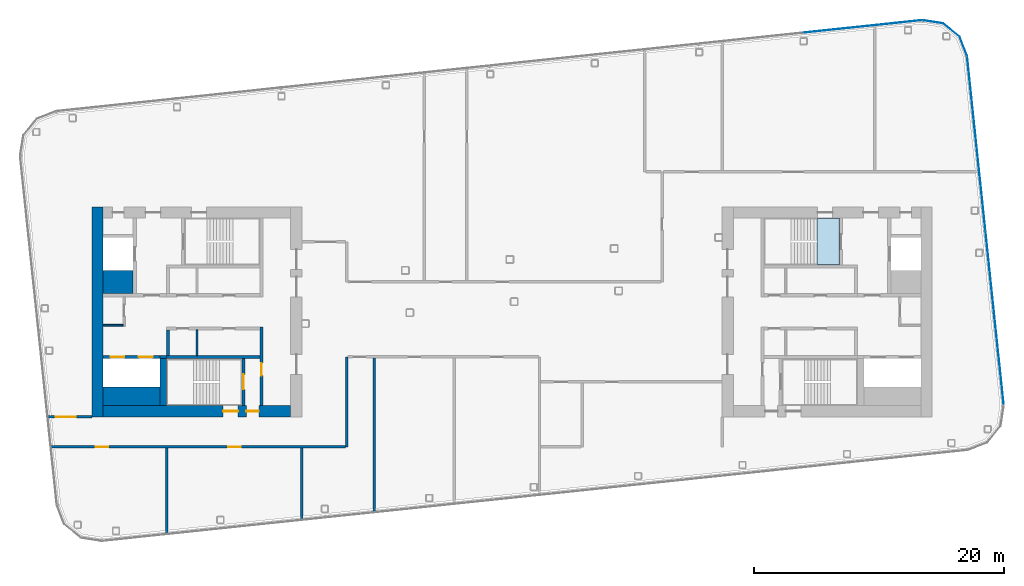
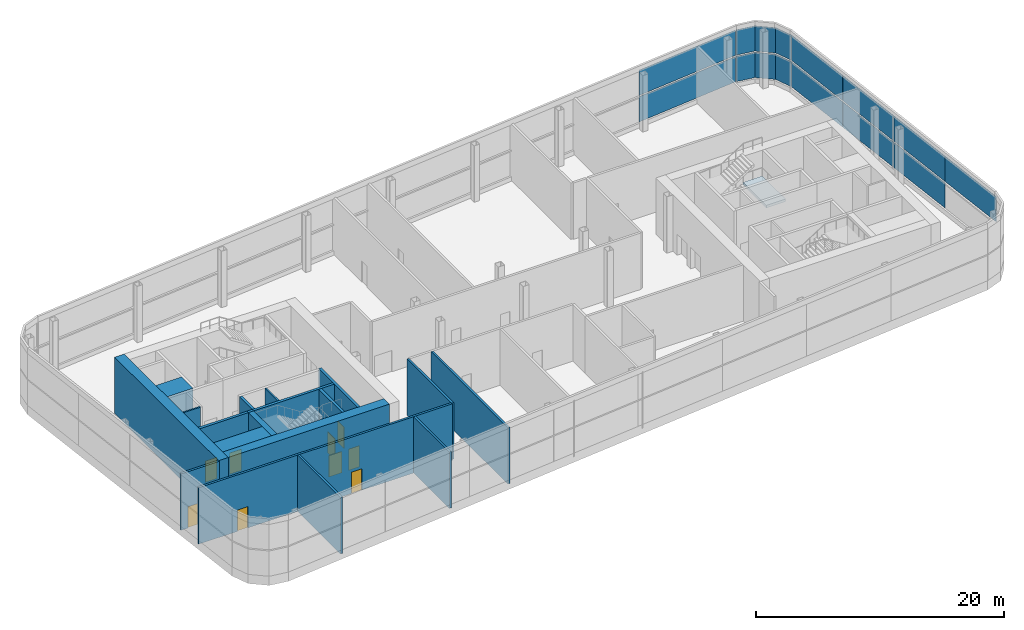
# One storey, part 14 of 35: 19 walls, 11 plates, 9 doors, 1 slab, 9 openings, 4 elements without a shape of their own.
"""IFC4 building model written with IfcOpenShell, lengths in metres."""

from ifc_helpers import new_model, si_unit, direction, frame, frame_2d, origin, origin_2d, place, context, subcontext, project, spatial, polyline, rectangle, outline, extrude, material, layer, layer_set, type_object, element, fill, aggregate, save


model = new_model("IFC4")

# Units and contexts
model_context = context("Model", 3, precision=1e-05, world=origin(), true_north=direction((0.0, 1.0)))
body_context = subcontext(model_context, "Body", "Model", "MODEL_VIEW")
ifc_project = project(units=[si_unit("LENGTHUNIT", "METRE"), si_unit("AREAUNIT", "SQUARE_METRE"), si_unit("VOLUMEUNIT", "CUBIC_METRE"), si_unit("PLANEANGLEUNIT", "RADIAN"), si_unit("MASSUNIT", "GRAM", prefix="KILO")], contexts=[model_context])

# Site, building, storey
site_placement = place(None, origin())
site = spatial("IfcSite", under=ifc_project, at=site_placement, CompositionType="ELEMENT")
building_placement = place(site_placement, origin())
building = spatial("IfcBuilding", under=site, at=building_placement, Name="Hakoniwa Tower and Hamabe Station Hall", CompositionType="ELEMENT")
storey_placement = place(building_placement, frame((0.0, 0.0, 270.60009765625)))
storey = spatial("IfcBuildingStorey", under=building, at=storey_placement, Name="L76", CompositionType="ELEMENT", Elevation=270.60009765625)

# Stair, slab
ifc_material_1 = material(Name="Concrete C40", Category="concrete")
stair_type = type_object("IfcStairType", Name="ESCAPE STAIR 1800", PredefinedType="HALF_TURN_STAIR", material=ifc_material_1)
stair_placement = place(storey_placement, origin())
stair = element("IfcStair", 1, at=stair_placement, inside=storey, type_object=stair_type, Name="Escape stair ST-3 L76", PredefinedType="HALF_TURN_STAIR")
ifc_material_2 = material(Name="Concrete C40", Category="concrete")
ifc_layer_1 = layer(ifc_material_2, 0.25)
ifc_layer_set_1 = layer_set([ifc_layer_1], Name="CORE STAIR LANDING 250")
slab_type = type_object("IfcSlabType", Name="CORE STAIR LANDING 250", PredefinedType="LANDING", material=ifc_layer_set_1)
slab_placement = place(storey_placement, frame((0.0, 0.0, 2.75)))
slab = element("IfcSlab", 2, at=slab_placement, type_object=slab_type, Name="ST-3 landing 2", PredefinedType="LANDING", context=body_context, shape_type="SweptSolid", body=[
    extrude(outline(polyline([(26.199951171875, 3.75), (24.39990234375, 3.75), (24.39990234375, 7.5), (26.199951171875, 7.5), (26.199951171875, 3.75)])), origin(), (0.0, 0.0, 1.0), 0.25),
])
aggregate(stair, [slab])

# Curtain wall, plates
ifc_material_3 = material(Name="Dark low-e laminated glass", Category="glass")
ifc_layer_2 = layer(ifc_material_3, 0.199951171875)
ifc_layer_set_2 = layer_set([ifc_layer_2], Name="CW-1 UNITISED GUEST")
curtain_wall_type = type_object("IfcCurtainWallType", Name="CW-1 UNITISED GUEST", PredefinedType="NOTDEFINED", material=ifc_layer_set_2)
curtain_wall_1_placement = place(storey_placement, origin())
curtain_wall_1 = element("IfcCurtainWall", 3, at=curtain_wall_1_placement, inside=storey, type_object=curtain_wall_type, Name="CW-1 curtain wall", PredefinedType="NOTDEFINED")
ifc_material_4 = material(Name="Dark low-e laminated glass", Category="glass")
ifc_layer_3 = layer(ifc_material_4, 0.028076171875)
ifc_layer_set_3 = layer_set([ifc_layer_3], Name="CW-1 GLASS UNIT")
plate_type = type_object("IfcPlateType", Name="CW-1 GLASS UNIT", PredefinedType="CURTAIN_PANEL", material=ifc_layer_set_3)
plate_1_placement = place(storey_placement, frame((38.97802734375, -3.990966796875, 2.9599609375), z_axis=(0.0, 0.0, 1.0), x_axis=(-0.104528468631, 0.994521894805, 0.0)))
plate_1 = element("IfcPlate", 4, at=plate_1_placement, type_object=plate_type, Name="CW-1 glass unit", PredefinedType="CURTAIN_PANEL", context=body_context, shape_type="SweptSolid", body=[
    extrude(rectangle(XDim=6.999755859375, YDim=0.028076171875, at=origin_2d()), origin(), (0.0, 0.0, 1.0), 2.489990234375),
])
plate_2_placement = place(storey_placement, frame((38.244140625, 2.990478515625, 0.35009765625), z_axis=(0.0, 0.0, 1.0), x_axis=(-0.104528468631, 0.994521894805, 0.0)))
plate_2 = element("IfcPlate", 5, at=plate_2_placement, type_object=plate_type, Name="CW-1 glass unit", PredefinedType="CURTAIN_PANEL", context=body_context, shape_type="SweptSolid", body=[
    extrude(rectangle(XDim=6.999755859375, YDim=0.028076171875, at=origin_2d()), origin(), (0.0, 0.0, 1.0), 2.489990234375),
])
plate_3_placement = place(storey_placement, frame((38.244140625, 2.990478515625, 2.9599609375), z_axis=(0.0, 0.0, 1.0), x_axis=(-0.104528468631, 0.994521894805, 0.0)))
plate_3 = element("IfcPlate", 6, at=plate_3_placement, type_object=plate_type, Name="CW-1 glass unit", PredefinedType="CURTAIN_PANEL", context=body_context, shape_type="SweptSolid", body=[
    extrude(rectangle(XDim=6.999755859375, YDim=0.028076171875, at=origin_2d()), origin(), (0.0, 0.0, 1.0), 2.489990234375),
])
plate_4_placement = place(storey_placement, frame((37.510498046875, 9.9716796875, 0.35009765625), z_axis=(0.0, 0.0, 1.0), x_axis=(-0.104528468631, 0.994521894805, 0.0)))
plate_4 = element("IfcPlate", 7, at=plate_4_placement, type_object=plate_type, Name="CW-1 glass unit", PredefinedType="CURTAIN_PANEL", context=body_context, shape_type="SweptSolid", body=[
    extrude(rectangle(XDim=6.999755859375, YDim=0.028076171875, at=origin_2d()), origin(), (0.0, 0.0, 1.0), 2.489990234375),
])
plate_5_placement = place(storey_placement, frame((37.510498046875, 9.9716796875, 2.9599609375), z_axis=(0.0, 0.0, 1.0), x_axis=(-0.104528468631, 0.994521894805, 0.0)))
plate_5 = element("IfcPlate", 8, at=plate_5_placement, type_object=plate_type, Name="CW-1 glass unit", PredefinedType="CURTAIN_PANEL", context=body_context, shape_type="SweptSolid", body=[
    extrude(rectangle(XDim=6.999755859375, YDim=0.028076171875, at=origin_2d()), origin(), (0.0, 0.0, 1.0), 2.489990234375),
])
plate_6_placement = place(storey_placement, frame((36.776611328125, 16.953125, 0.35009765625), z_axis=(0.0, 0.0, 1.0), x_axis=(-0.104528468631, 0.994521894805, 0.0)))
plate_6 = element("IfcPlate", 9, at=plate_6_placement, type_object=plate_type, Name="CW-1 glass unit", PredefinedType="CURTAIN_PANEL", context=body_context, shape_type="SweptSolid", body=[
    extrude(rectangle(XDim=6.999755859375, YDim=0.028076171875, at=origin_2d()), origin(), (0.0, 0.0, 1.0), 2.489990234375),
])
plate_7_placement = place(storey_placement, frame((36.776611328125, 16.953125, 2.9599609375), z_axis=(0.0, 0.0, 1.0), x_axis=(-0.104528468631, 0.994521894805, 0.0)))
plate_7 = element("IfcPlate", 10, at=plate_7_placement, type_object=plate_type, Name="CW-1 glass unit", PredefinedType="CURTAIN_PANEL", context=body_context, shape_type="SweptSolid", body=[
    extrude(rectangle(XDim=6.999755859375, YDim=0.028076171875, at=origin_2d()), origin(), (0.0, 0.0, 1.0), 2.489990234375),
])
aggregate(curtain_wall_1, [plate_1, plate_2, plate_3, plate_4, plate_5, plate_6, plate_7])

curtain_wall_2_placement = place(storey_placement, origin())
curtain_wall_2 = element("IfcCurtainWall", 11, at=curtain_wall_2_placement, inside=storey, type_object=curtain_wall_type, Name="CW-1 curtain wall", PredefinedType="NOTDEFINED")
plate_8_placement = place(storey_placement, frame((0.0, 0.0, 0.349853515625)))
plate_8 = element("IfcPlate", 12, at=plate_8_placement, type_object=plate_type, Name="CW-1 curved corner unit", PredefinedType="CURTAIN_PANEL", context=body_context, shape_type="SweptSolid", body=[
    extrude(outline(polyline([(36.409423828125, 20.482421875), (35.82421875, 22.0068359375), (34.492431640625, 23.085205078125), (32.8798828125, 23.340576171875), (32.87548828125, 23.31298828125), (34.480712890625, 23.058837890625), (35.80078125, 21.98974609375), (36.38330078125, 20.472412109375), (36.409423828125, 20.482421875)])), origin(), (0.0, 0.0, 1.0), 2.489990234375),
])
plate_9_placement = place(storey_placement, frame((0.0, 0.0, 2.9599609375)))
plate_9 = element("IfcPlate", 13, at=plate_9_placement, type_object=plate_type, Name="CW-1 curved corner unit", PredefinedType="CURTAIN_PANEL", context=body_context, shape_type="SweptSolid", body=[
    extrude(outline(polyline([(36.409423828125, 20.482421875), (35.82421875, 22.0068359375), (34.492431640625, 23.085205078125), (32.8798828125, 23.340576171875), (32.87548828125, 23.31298828125), (34.480712890625, 23.058837890625), (35.80078125, 21.98974609375), (36.38330078125, 20.472412109375), (36.409423828125, 20.482421875)])), origin(), (0.0, 0.0, 1.0), 2.489990234375),
])
aggregate(curtain_wall_2, [plate_8, plate_9])

curtain_wall_3_placement = place(storey_placement, origin())
curtain_wall_3 = element("IfcCurtainWall", 14, at=curtain_wall_3_placement, inside=storey, type_object=curtain_wall_type, Name="CW-1 curtain wall", PredefinedType="NOTDEFINED")
plate_10_placement = place(storey_placement, frame((28.04833984375, 22.829345703125, 0.35009765625), z_axis=(0.0, 0.0, 1.0), x_axis=(-0.994521895272, -0.104528464188, 0.0)))
plate_10 = element("IfcPlate", 15, at=plate_10_placement, type_object=plate_type, Name="CW-1 glass unit", PredefinedType="CURTAIN_PANEL", context=body_context, shape_type="SweptSolid", body=[
    extrude(rectangle(XDim=9.619384765625, YDim=0.028076171875, at=origin_2d()), origin(), (0.0, 0.0, 1.0), 2.489990234375),
])
plate_11_placement = place(storey_placement, frame((28.04833984375, 22.829345703125, 2.9599609375), z_axis=(0.0, 0.0, 1.0), x_axis=(-0.994521895272, -0.104528464188, 0.0)))
plate_11 = element("IfcPlate", 16, at=plate_11_placement, type_object=plate_type, Name="CW-1 glass unit", PredefinedType="CURTAIN_PANEL", context=body_context, shape_type="SweptSolid", body=[
    extrude(rectangle(XDim=9.619384765625, YDim=0.028076171875, at=origin_2d()), origin(), (0.0, 0.0, 1.0), 2.489990234375),
])
aggregate(curtain_wall_3, [plate_10, plate_11])

# Walls
ifc_material_5 = material(Name="Gypsum board partition")
ifc_layer_4 = layer(ifc_material_5, 0.14990234375)
ifc_layer_set_4 = layer_set([ifc_layer_4], Name="CORE PARTITION 150 EI 60")
wall_type_1 = type_object("IfcWallType", Name="CORE PARTITION 150 EI 60", PredefinedType="PARTITIONING", material=ifc_layer_set_4)
wall_1_placement = place(storey_placement, frame((-32.699951171875, -1.074951171875, 0.0), z_axis=(0.0, 0.0, 1.0), x_axis=(1.0, 0.0, 0.0)))
element("IfcWall", 17, at=wall_1_placement, inside=storey, type_object=wall_type_1, Name="Core partition PS west", PredefinedType="PARTITIONING", context=body_context, shape_type="SweptSolid", body=[
    extrude(rectangle(XDim=1.599853515625, YDim=0.14990234375, at=frame_2d((0.7998046875, 0.0))), origin(), (0.0, 0.0, 1.0), 5.5498046875),
])
wall_2_placement = place(storey_placement, frame((-25.199951171875, -3.5, 0.0), z_axis=(0.0, 0.0, 1.0), x_axis=(0.0, 1.0, 0.0)))
element("IfcWall", 18, at=wall_2_placement, inside=storey, type_object=wall_type_1, Name="Core partition PFHR0 west", PredefinedType="PARTITIONING", context=body_context, shape_type="SweptSolid", body=[
    extrude(rectangle(XDim=2.050048828125, YDim=0.14990234375, at=frame_2d((1.02490234375, 0.0))), origin(), (0.0, 0.0, 1.0), 5.5498046875),
])
ifc_material_6 = material(Name="Concrete C60", Category="concrete")
ifc_layer_5 = layer(ifc_material_6, 0.89990234375)
ifc_layer_set_5 = layer_set([ifc_layer_5], Name="CORE WALL 900 C60")
wall_type_2 = type_object("IfcWallType", Name="CORE WALL 900 C60", PredefinedType="SHEAR", material=ifc_layer_set_5)
wall_3_placement = place(storey_placement, frame((-33.14990234375, -8.39990234375, 0.0), z_axis=(0.0, 0.0, 1.0), x_axis=(0.0, 1.0, 0.0)))
element("IfcWall", 19, at=wall_3_placement, inside=storey, type_object=wall_type_2, Name="Core wall OUTER west", PredefinedType="SHEAR", context=body_context, shape_type="SweptSolid", body=[
    extrude(rectangle(XDim=16.7998046875, YDim=0.89990234375, at=frame_2d((8.39990234375, 0.0))), origin(), (0.0, 0.0, 1.0), 5.5498046875),
])

# Wall, openings, doors
wall_4_placement = place(storey_placement, frame((-32.699951171875, -7.949951171875, 0.0), z_axis=(0.0, 0.0, 1.0), x_axis=(1.0, 0.0, 0.0)))
wall_4 = element("IfcWall", 20, at=wall_4_placement, inside=storey, type_object=wall_type_2, Name="Core wall SOUTH west", PredefinedType="SHEAR", context=body_context, shape_type="SweptSolid", body=[
    extrude(rectangle(XDim=15.0, YDim=0.89990234375, at=frame_2d((7.5, 0.0))), origin(), (0.0, 0.0, 1.0), 5.5498046875),
])
opening_1_placement = place(wall_4_placement, frame((11.449951171875, 0.0, 0.0)))
opening_1 = element("IfcOpeningElement", 21, at=opening_1_placement, cuts=wall_4, Name="Opening CD-W-FS3-10", PredefinedType="OPENING", context=body_context, shape_type="SweptSolid", body=[
    extrude(rectangle(XDim=1.0, YDim=2.10009765625, at=frame_2d((0.5, 1.050048828125))), frame((0.0, 0.4599609375, 0.0), z_axis=(0.0, -1.0, 0.0), x_axis=(1.0, 0.0, 0.0)), (0.0, 0.0, 1.0), 0.919921875),
])
opening_2_placement = place(wall_4_placement, frame((9.60009765625, 0.0, 0.0)))
opening_2 = element("IfcOpeningElement", 22, at=opening_2_placement, cuts=wall_4, Name="Opening CD-W-FS5-12", PredefinedType="OPENING", context=body_context, shape_type="SweptSolid", body=[
    extrude(rectangle(XDim=1.199951171875, YDim=2.10009765625, at=frame_2d((0.60009765625, 1.050048828125))), frame((0.0, 0.4599609375, 0.0), z_axis=(0.0, -1.0, 0.0), x_axis=(1.0, 0.0, 0.0)), (0.0, 0.0, 1.0), 0.919921875),
])
ifc_material_7 = material(Name="Steel fire door", Category="steel")
door_type_1 = type_object("IfcDoorType", Name="CORE DOOR 1000 FD60", OperationType="NOTDEFINED", PredefinedType="DOOR", material=ifc_material_7)
door_1_placement = place(opening_1_placement, origin())
door_1 = element("IfcDoor", 23, at=door_1_placement, inside=storey, type_object=door_type_1, Name="Stair vestibule door", OperationType="SINGLE_SWING_LEFT", OverallHeight=2.10009765625, OverallWidth=1.0, PredefinedType="DOOR", context=body_context, shape_type="SweptSolid", body=[
    extrude(rectangle(XDim=1.0, YDim=2.10009765625, at=frame_2d((0.5, 1.050048828125))), frame((0.0, 0.02490234375, 0.0), z_axis=(0.0, -1.0, 0.0), x_axis=(1.0, 0.0, 0.0)), (0.0, 0.0, 1.0), 0.050048828125),
])
fill(opening_1, door_1)
ifc_material_8 = material(Name="Steel fire door", Category="steel")
door_type_2 = type_object("IfcDoorType", Name="CORE DOOR 1200 FD60", OperationType="DOUBLE_DOOR_SINGLE_SWING", PredefinedType="DOOR", material=ifc_material_8)
door_2_placement = place(opening_2_placement, origin())
door_2 = element("IfcDoor", 24, at=door_2_placement, inside=storey, type_object=door_type_2, Name="Stair vestibule door to stair B", OperationType="DOUBLE_DOOR_SINGLE_SWING", OverallHeight=2.10009765625, OverallWidth=1.199951171875, PredefinedType="DOOR", context=body_context, shape_type="SweptSolid", body=[
    extrude(rectangle(XDim=1.199951171875, YDim=2.10009765625, at=frame_2d((0.60009765625, 1.050048828125))), frame((0.0, 0.02490234375, 0.0), z_axis=(0.0, -1.0, 0.0), x_axis=(1.0, 0.0, 0.0)), (0.0, 0.0, 1.0), 0.050048828125),
])
fill(opening_2, door_2)

# Walls
ifc_material_9 = material(Name="Concrete C60", Category="concrete")
ifc_layer_6 = layer(ifc_material_9, 1.5)
ifc_layer_set_6 = layer_set([ifc_layer_6], Name="CORE WEB WALL 1500 C60")
wall_type_3 = type_object("IfcWallType", Name="CORE WEB WALL 1500 C60", PredefinedType="SHEAR", material=ifc_layer_set_6)
wall_5_placement = place(storey_placement, frame((-32.699951171875, -6.75, 0.0), z_axis=(0.0, 0.0, 1.0), x_axis=(1.0, 0.0, 0.0)))
element("IfcWall", 25, at=wall_5_placement, inside=storey, type_object=wall_type_3, Name="Core wall SER west", PredefinedType="SHEAR", context=body_context, shape_type="SweptSolid", body=[
    extrude(rectangle(XDim=4.550048828125, YDim=1.5, at=frame_2d((2.27490234375, 0.0))), origin(), (0.0, 0.0, 1.0), 5.5498046875),
])
ifc_material_10 = material(Name="Concrete C60", Category="concrete")
ifc_layer_7 = layer(ifc_material_10, 1.85009765625)
ifc_layer_set_7 = layer_set([ifc_layer_7], Name="CORE WEB WALL 1850 C60")
wall_type_4 = type_object("IfcWallType", Name="CORE WEB WALL 1850 C60", PredefinedType="SHEAR", material=ifc_layer_set_7)
wall_6_placement = place(storey_placement, frame((-32.699951171875, 2.375, 0.0), z_axis=(0.0, 0.0, 1.0), x_axis=(1.0, 0.0, 0.0)))
element("IfcWall", 26, at=wall_6_placement, inside=storey, type_object=wall_type_4, Name="Core wall CA west", PredefinedType="SHEAR", context=body_context, shape_type="SweptSolid", body=[
    extrude(rectangle(XDim=2.39990234375, YDim=1.85009765625, at=frame_2d((1.199951171875, 0.0))), origin(), (0.0, 0.0, 1.0), 5.5498046875),
])

# Wall, opening, door
ifc_material_11 = material(Name="Concrete C60", Category="concrete")
ifc_layer_8 = layer(ifc_material_11, 0.25)
ifc_layer_set_8 = layer_set([ifc_layer_8], Name="CORE WEB WALL 250 C60")
wall_type_5 = type_object("IfcWallType", Name="CORE WEB WALL 250 C60", PredefinedType="SHEAR", material=ifc_layer_set_8)
wall_7_placement = place(storey_placement, frame((-20.02490234375, -7.5, 0.0), z_axis=(0.0, 0.0, 1.0), x_axis=(0.0, 1.0, 0.0)))
wall_7 = element("IfcWall", 27, at=wall_7_placement, inside=storey, type_object=wall_type_5, Name="Core wall W1S west", PredefinedType="SHEAR", context=body_context, shape_type="SweptSolid", body=[
    extrude(rectangle(XDim=6.300048828125, YDim=0.25, at=frame_2d((3.14990234375, 0.0))), origin(), (0.0, 0.0, 1.0), 5.5498046875),
])
opening_3_placement = place(wall_7_placement, frame((2.39990234375, 0.0, 0.0)))
opening_3 = element("IfcOpeningElement", 28, at=opening_3_placement, cuts=wall_7, Name="Opening CD-W-VS-10", PredefinedType="OPENING", context=body_context, shape_type="SweptSolid", body=[
    extrude(rectangle(XDim=1.0, YDim=2.10009765625, at=frame_2d((0.5, 1.050048828125))), frame((0.0, 0.135009765625, 0.0), z_axis=(0.0, -1.0, 0.0), x_axis=(1.0, 0.0, 0.0)), (0.0, 0.0, 1.0), 0.27001953125),
])
door_3_placement = place(opening_3_placement, origin())
door_3 = element("IfcDoor", 29, at=door_3_placement, inside=storey, type_object=door_type_1, Name="Stair vestibule door", OperationType="SINGLE_SWING_LEFT", OverallHeight=2.10009765625, OverallWidth=1.0, PredefinedType="DOOR", context=body_context, shape_type="SweptSolid", body=[
    extrude(rectangle(XDim=1.0, YDim=2.10009765625, at=frame_2d((0.5, 1.050048828125))), frame((0.0, 0.02490234375, 0.0), z_axis=(0.0, -1.0, 0.0), x_axis=(1.0, 0.0, 0.0)), (0.0, 0.0, 1.0), 0.050048828125),
])
fill(opening_3, door_3)

# Walls
wall_8_placement = place(storey_placement, frame((-27.52490234375, -3.5, 0.0), z_axis=(0.0, 0.0, 1.0), x_axis=(0.0, 1.0, 0.0)))
element("IfcWall", 30, at=wall_8_placement, inside=storey, type_object=wall_type_5, Name="Core wall SE west", PredefinedType="SHEAR", context=body_context, shape_type="SweptSolid", body=[
    extrude(rectangle(XDim=2.050048828125, YDim=0.25, at=frame_2d((1.02490234375, 0.0))), origin(), (0.0, 0.0, 1.0), 5.5498046875),
])
wall_9_placement = place(storey_placement, frame((-27.64990234375, -3.625, 0.0), z_axis=(0.0, 0.0, 1.0), x_axis=(1.0, 0.0, 0.0)))
element("IfcWall", 31, at=wall_9_placement, inside=storey, type_object=wall_type_5, Name="Core wall SR west", PredefinedType="SHEAR", context=body_context, shape_type="SweptSolid", body=[
    extrude(rectangle(XDim=7.5, YDim=0.25, at=frame_2d((3.75, 0.0))), origin(), (0.0, 0.0, 1.0), 5.5498046875),
])

# Wall, opening, door
wall_10_placement = place(storey_placement, frame((-21.47509765625, -7.5, 0.0), z_axis=(0.0, 0.0, 1.0), x_axis=(0.0, 1.0, 0.0)))
wall_10 = element("IfcWall", 32, at=wall_10_placement, inside=storey, type_object=wall_type_5, Name="Core wall VE west", PredefinedType="SHEAR", context=body_context, shape_type="SweptSolid", body=[
    extrude(rectangle(XDim=3.75, YDim=0.25, at=frame_2d((1.875, 0.0))), origin(), (0.0, 0.0, 1.0), 5.5498046875),
])
opening_4_placement = place(wall_10_placement, frame((1.300048828125, 0.0, 0.0)))
opening_4 = element("IfcOpeningElement", 33, at=opening_4_placement, cuts=wall_10, Name="Opening CD-W-SS-12", PredefinedType="OPENING", context=body_context, shape_type="SweptSolid", body=[
    extrude(rectangle(XDim=1.199951171875, YDim=2.10009765625, at=frame_2d((0.60009765625, 1.050048828125))), frame((0.0, 0.135009765625, 0.0), z_axis=(0.0, -1.0, 0.0), x_axis=(1.0, 0.0, 0.0)), (0.0, 0.0, 1.0), 0.27001953125),
])
door_4_placement = place(opening_4_placement, origin())
door_4 = element("IfcDoor", 34, at=door_4_placement, inside=storey, type_object=door_type_2, Name="Escape stair door", OperationType="DOUBLE_DOOR_SINGLE_SWING", OverallHeight=2.10009765625, OverallWidth=1.199951171875, PredefinedType="DOOR", context=body_context, shape_type="SweptSolid", body=[
    extrude(rectangle(XDim=1.199951171875, YDim=2.10009765625, at=frame_2d((0.60009765625, 1.050048828125))), frame((0.0, 0.02490234375, 0.0), z_axis=(0.0, -1.0, 0.0), x_axis=(1.0, 0.0, 0.0)), (0.0, 0.0, 1.0), 0.050048828125),
])
fill(opening_4, door_4)

# Wall, openings, doors
wall_11_placement = place(storey_placement, frame((-32.699951171875, -3.625, 0.0), z_axis=(0.0, 0.0, 1.0), x_axis=(1.0, 0.0, 0.0)))
wall_11 = element("IfcWall", 35, at=wall_11_placement, inside=storey, type_object=wall_type_5, Name="Core wall SEF west", PredefinedType="SHEAR", context=body_context, shape_type="SweptSolid", body=[
    extrude(rectangle(XDim=4.550048828125, YDim=0.25, at=frame_2d((2.27490234375, 0.0))), origin(), (0.0, 0.0, 1.0), 5.5498046875),
])
opening_5_placement = place(wall_11_placement, frame((2.85009765625, 0.0, 0.0)))
opening_5 = element("IfcOpeningElement", 36, at=opening_5_placement, cuts=wall_11, Name="Opening LD-SV1", PredefinedType="OPENING", context=body_context, shape_type="SweptSolid", body=[
    extrude(rectangle(XDim=1.10009765625, YDim=2.10009765625, at=frame_2d((0.550048828125, 1.050048828125))), frame((0.0, 0.135009765625, 0.0), z_axis=(0.0, -1.0, 0.0), x_axis=(1.0, 0.0, 0.0)), (0.0, 0.0, 1.0), 0.27001953125),
])
opening_6_placement = place(wall_11_placement, frame((0.60009765625, 0.0, 0.0)))
opening_6 = element("IfcOpeningElement", 37, at=opening_6_placement, cuts=wall_11, Name="Opening LD-SV2", PredefinedType="OPENING", context=body_context, shape_type="SweptSolid", body=[
    extrude(rectangle(XDim=1.10009765625, YDim=2.10009765625, at=frame_2d((0.550048828125, 1.050048828125))), frame((0.0, 0.135009765625, 0.0), z_axis=(0.0, -1.0, 0.0), x_axis=(1.0, 0.0, 0.0)), (0.0, 0.0, 1.0), 0.27001953125),
])
ifc_material_12 = material(Name="Stainless steel SUS304", Category="steel")
door_type_3 = type_object("IfcDoorType", Name="LIFT LANDING DOOR 1100 FD60", OperationType="DOUBLE_DOOR_SLIDING", PredefinedType="DOOR", material=ifc_material_12)
door_5_placement = place(opening_5_placement, origin())
door_5 = element("IfcDoor", 38, at=door_5_placement, inside=storey, type_object=door_type_3, Name="Lift landing door SV1 L76", OperationType="DOUBLE_DOOR_SLIDING", OverallHeight=2.10009765625, OverallWidth=1.10009765625, PredefinedType="DOOR", context=body_context, shape_type="SweptSolid", body=[
    extrude(rectangle(XDim=1.10009765625, YDim=2.10009765625, at=frame_2d((0.550048828125, 1.050048828125))), frame((0.0, 0.02490234375, 0.0), z_axis=(0.0, -1.0, 0.0), x_axis=(1.0, 0.0, 0.0)), (0.0, 0.0, 1.0), 0.050048828125),
])
fill(opening_5, door_5)
door_6_placement = place(opening_6_placement, origin())
door_6 = element("IfcDoor", 39, at=door_6_placement, inside=storey, type_object=door_type_3, Name="Lift landing door SV2 L76", OperationType="DOUBLE_DOOR_SLIDING", OverallHeight=2.10009765625, OverallWidth=1.10009765625, PredefinedType="DOOR", context=body_context, shape_type="SweptSolid", body=[
    extrude(rectangle(XDim=1.10009765625, YDim=2.10009765625, at=frame_2d((0.550048828125, 1.050048828125))), frame((0.0, 0.02490234375, 0.0), z_axis=(0.0, -1.0, 0.0), x_axis=(1.0, 0.0, 0.0)), (0.0, 0.0, 1.0), 0.050048828125),
])
fill(opening_6, door_6)

# Walls
wall_12_placement = place(storey_placement, frame((-28.14990234375, -3.625, 0.0), z_axis=(0.0, 0.0, 1.0), x_axis=(1.0, 0.0, 0.0)))
element("IfcWall", 40, at=wall_12_placement, inside=storey, type_object=wall_type_5, Name="Core wall SRK west", PredefinedType="SHEAR", context=body_context, shape_type="SweptSolid", body=[
    extrude(rectangle(XDim=0.5, YDim=0.25, at=frame_2d((0.25, 0.0))), origin(), (0.0, 0.0, 1.0), 5.5498046875),
])
ifc_material_13 = material(Name="Concrete C60", Category="concrete")
ifc_layer_9 = layer(ifc_material_13, 0.5)
ifc_layer_set_9 = layer_set([ifc_layer_9], Name="CORE WEB WALL 500 C60")
wall_type_6 = type_object("IfcWallType", Name="CORE WEB WALL 500 C60", PredefinedType="SHEAR", material=ifc_layer_set_9)
wall_13_placement = place(storey_placement, frame((-27.89990234375, -7.5, 0.0), z_axis=(0.0, 0.0, 1.0), x_axis=(0.0, 1.0, 0.0)))
element("IfcWall", 41, at=wall_13_placement, inside=storey, type_object=wall_type_6, Name="Core wall SSE west", PredefinedType="SHEAR", context=body_context, shape_type="SweptSolid", body=[
    extrude(rectangle(XDim=3.75, YDim=0.5, at=frame_2d((1.875, 0.0))), origin(), (0.0, 0.0, 1.0), 5.5498046875),
])

# Wall, openings, doors
ifc_material_14 = material(Name="Fire-rated gypsum board partition", Category="gypsum")
ifc_layer_10 = layer(ifc_material_14, 0.199951171875)
ifc_layer_set_10 = layer_set([ifc_layer_10], Name="Corridor Wall 200")
wall_type_7 = type_object("IfcWallType", Name="Corridor Wall 200", PredefinedType="PARTITIONING", material=ifc_layer_set_10)
wall_14_placement = place(storey_placement, frame((-36.912109375, -10.800048828125, 0.0), z_axis=(0.0, 0.0, 1.0), x_axis=(1.0, 0.0, 0.0)))
wall_14 = element("IfcWall", 42, at=wall_14_placement, inside=storey, type_object=wall_type_7, Name="GW-L76-001", PredefinedType="PARTITIONING", context=body_context, shape_type="SweptSolid", body=[
    extrude(rectangle(XDim=23.612060546875, YDim=0.199951171875, at=frame_2d((11.80615234375, 0.0))), origin(), (0.0, 0.0, 1.0), 5.5498046875),
])
opening_7_placement = place(wall_14_placement, frame((3.612060546875, 0.0, 0.0)))
opening_7 = element("IfcOpeningElement", 43, at=opening_7_placement, cuts=wall_14, Name="Opening GD-SL76-01", PredefinedType="OPENING", context=body_context, shape_type="SweptSolid", body=[
    extrude(rectangle(XDim=1.0, YDim=2.10009765625, at=frame_2d((0.5, 1.050048828125))), frame((0.0, 0.10986328125, 0.0), z_axis=(0.0, -1.0, 0.0), x_axis=(1.0, 0.0, 0.0)), (0.0, 0.0, 1.0), 0.219970703125),
])
opening_8_placement = place(wall_14_placement, frame((14.2119140625, 0.0, 0.0)))
opening_8 = element("IfcOpeningElement", 44, at=opening_8_placement, cuts=wall_14, Name="Opening GD-SL76-02", PredefinedType="OPENING", context=body_context, shape_type="SweptSolid", body=[
    extrude(rectangle(XDim=1.0, YDim=2.10009765625, at=frame_2d((0.5, 1.050048828125))), frame((0.0, 0.10986328125, 0.0), z_axis=(0.0, -1.0, 0.0), x_axis=(1.0, 0.0, 0.0)), (0.0, 0.0, 1.0), 0.219970703125),
])
ifc_material_15 = material(Name="Timber door leaf", Category="wood")
door_type_4 = type_object("IfcDoorType", Name="Guest Entrance Door 1000", OperationType="SINGLE_SWING_LEFT", PredefinedType="DOOR", material=ifc_material_15)
door_7_placement = place(opening_7_placement, origin())
door_7 = element("IfcDoor", 45, at=door_7_placement, inside=storey, type_object=door_type_4, Name="Door GD-SL76-01", OperationType="SINGLE_SWING_LEFT", OverallHeight=2.10009765625, OverallWidth=1.0, PredefinedType="DOOR", context=body_context, shape_type="SweptSolid", body=[
    extrude(rectangle(XDim=1.0, YDim=2.10009765625, at=frame_2d((0.5, 1.050048828125))), frame((0.0, 0.02490234375, 0.0), z_axis=(0.0, -1.0, 0.0), x_axis=(1.0, 0.0, 0.0)), (0.0, 0.0, 1.0), 0.050048828125),
])
fill(opening_7, door_7)
door_8_placement = place(opening_8_placement, origin())
door_8 = element("IfcDoor", 46, at=door_8_placement, inside=storey, type_object=door_type_4, Name="Door GD-SL76-02", OperationType="SINGLE_SWING_RIGHT", OverallHeight=2.10009765625, OverallWidth=1.0, PredefinedType="DOOR", context=body_context, shape_type="SweptSolid", body=[
    extrude(rectangle(XDim=1.0, YDim=2.10009765625, at=frame_2d((0.5, 1.050048828125))), frame((0.0, 0.02490234375, 0.0), z_axis=(0.0, -1.0, 0.0), x_axis=(1.0, 0.0, 0.0)), (0.0, 0.0, 1.0), 0.050048828125),
])
fill(opening_8, door_8)

# Wall, opening, door
wall_15_placement = place(storey_placement, frame((-37.164306640625, -8.39990234375, 0.0), z_axis=(0.0, 0.0, 1.0), x_axis=(1.0, 0.0, 0.0)))
wall_15 = element("IfcWall", 47, at=wall_15_placement, inside=storey, type_object=wall_type_7, Name="GW-L76-003", PredefinedType="PARTITIONING", context=body_context, shape_type="SweptSolid", body=[
    extrude(rectangle(XDim=3.564208984375, YDim=0.199951171875, at=frame_2d((1.7822265625, 0.0))), origin(), (0.0, 0.0, 1.0), 5.5498046875),
])
opening_9_placement = place(wall_15_placement, frame((0.651611328125, 0.0, 0.0)))
opening_9 = element("IfcOpeningElement", 48, at=opening_9_placement, cuts=wall_15, Name="Opening GD-SL76-03", PredefinedType="OPENING", context=body_context, shape_type="SweptSolid", body=[
    extrude(rectangle(XDim=1.60009765625, YDim=2.10009765625, at=frame_2d((0.800048828125, 1.050048828125))), frame((0.0, 0.10986328125, 0.0), z_axis=(0.0, -1.0, 0.0), x_axis=(1.0, 0.0, 0.0)), (0.0, 0.0, 1.0), 0.219970703125),
])
ifc_material_16 = material(Name="Timber door leaf", Category="wood")
door_type_5 = type_object("IfcDoorType", Name="Double Door 1600", OperationType="DOUBLE_DOOR_SINGLE_SWING", PredefinedType="DOOR", material=ifc_material_16)
door_9_placement = place(opening_9_placement, origin())
door_9 = element("IfcDoor", 49, at=door_9_placement, inside=storey, type_object=door_type_5, Name="Door GD-SL76-03", OperationType="DOUBLE_DOOR_SINGLE_SWING", OverallHeight=2.10009765625, OverallWidth=1.60009765625, PredefinedType="DOOR", context=body_context, shape_type="SweptSolid", body=[
    extrude(rectangle(XDim=1.60009765625, YDim=2.10009765625, at=frame_2d((0.800048828125, 1.050048828125))), frame((0.0, 0.02490234375, 0.0), z_axis=(0.0, -1.0, 0.0), x_axis=(1.0, 0.0, 0.0)), (0.0, 0.0, 1.0), 0.050048828125),
])
fill(opening_9, door_9)

# Walls
wall_16_placement = place(storey_placement, frame((-13.199951171875, -10.800048828125, 0.0), z_axis=(0.0, 0.0, 1.0), x_axis=(0.0, 1.0, 0.0)))
element("IfcWall", 50, at=wall_16_placement, inside=storey, type_object=wall_type_7, Name="GW-L76-012", PredefinedType="PARTITIONING", context=body_context, shape_type="SweptSolid", body=[
    extrude(rectangle(XDim=7.199951171875, YDim=0.199951171875, at=frame_2d((3.60009765625, 0.0))), origin(), (0.0, 0.0, 1.0), 5.5498046875),
])
ifc_material_17 = material(Name="Fire-rated gypsum board partition", Category="gypsum")
ifc_layer_11 = layer(ifc_material_17, 0.199951171875)
ifc_layer_set_11 = layer_set([ifc_layer_11], Name="Party Wall 200")
wall_type_8 = type_object("IfcWallType", Name="Party Wall 200", PredefinedType="PARTITIONING", material=ifc_layer_set_11)
wall_17_placement = place(storey_placement, frame((-27.60009765625, -17.796142578125, 0.0), z_axis=(0.0, 0.0, 1.0), x_axis=(0.0, 1.0, 0.0)))
element("IfcWall", 51, at=wall_17_placement, inside=storey, type_object=wall_type_8, Name="GW-L76-010", PredefinedType="PARTITIONING", context=body_context, shape_type="SweptSolid", body=[
    extrude(rectangle(XDim=6.896240234375, YDim=0.199951171875, at=frame_2d((3.4482421875, 0.0))), origin(), (0.0, 0.0, 1.0), 5.5498046875),
])
wall_18_placement = place(storey_placement, frame((-16.800048828125, -16.660888671875, 0.0), z_axis=(0.0, 0.0, 1.0), x_axis=(0.0, 1.0, 0.0)))
element("IfcWall", 52, at=wall_18_placement, inside=storey, type_object=wall_type_8, Name="GW-L76-011", PredefinedType="PARTITIONING", context=body_context, shape_type="SweptSolid", body=[
    extrude(rectangle(XDim=5.760986328125, YDim=0.199951171875, at=frame_2d((2.88037109375, 0.0))), origin(), (0.0, 0.0, 1.0), 5.5498046875),
])
wall_19_placement = place(storey_placement, frame((-11.0, -16.051513671875, 0.0), z_axis=(0.0, 0.0, 1.0), x_axis=(0.0, 1.0, 0.0)))
element("IfcWall", 53, at=wall_19_placement, inside=storey, type_object=wall_type_8, Name="GW-L76-014", PredefinedType="PARTITIONING", context=body_context, shape_type="SweptSolid", body=[
    extrude(rectangle(XDim=12.3515625, YDim=0.199951171875, at=frame_2d((6.17578125, 0.0))), origin(), (0.0, 0.0, 1.0), 5.5498046875),
])

save(model, "model.ifc")
